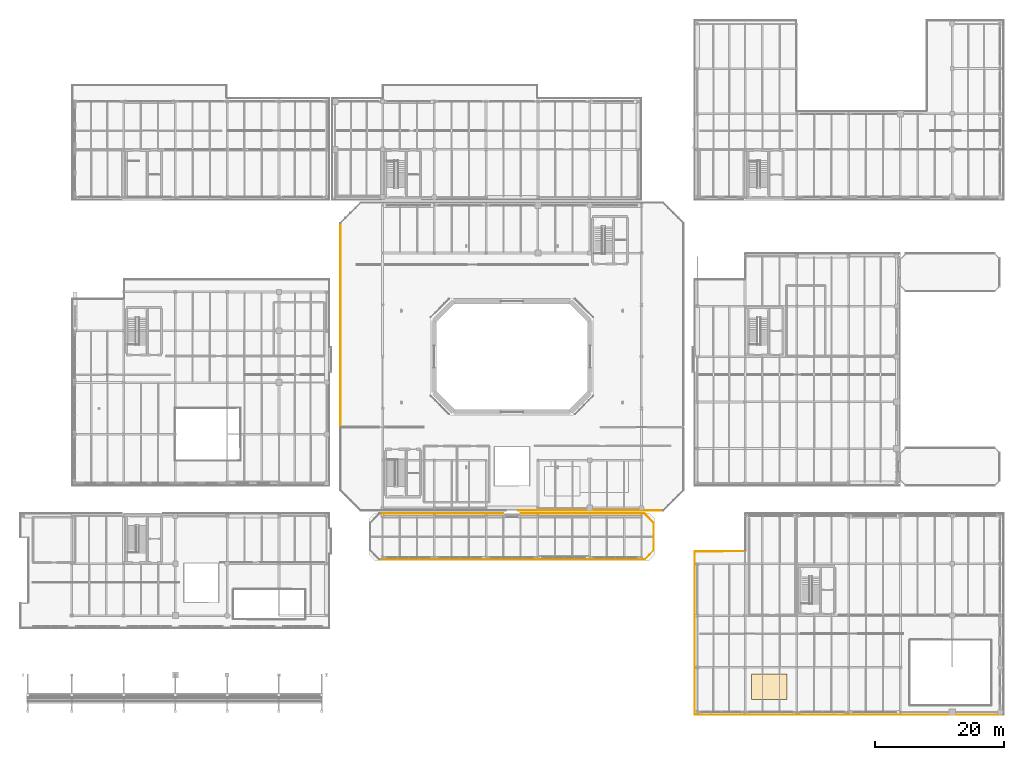
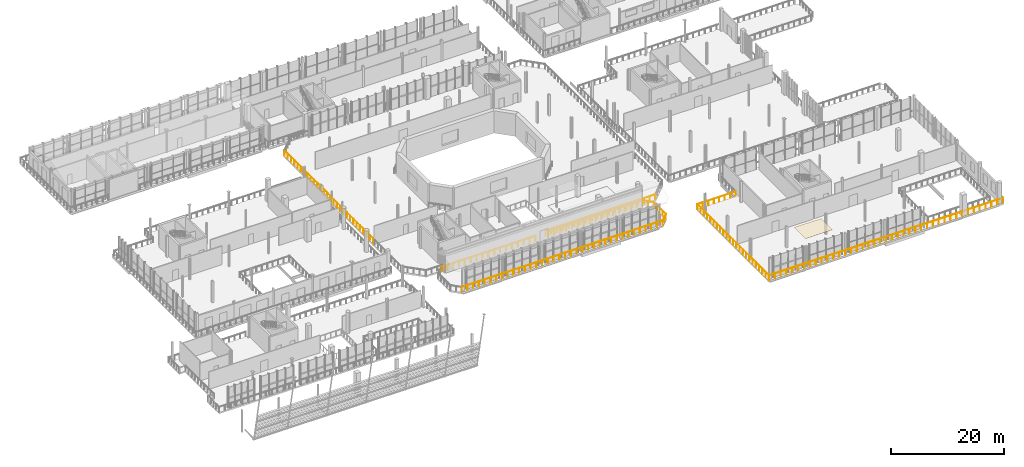
# One storey, part 83 of 93: 11 railings, 1 covering.
"""IFC4 building model written with IfcOpenShell, lengths in metres."""

import ifcopenshell
import ifcopenshell.guid

model = None  # the IFC model being written
_history = None  # IfcOwnerHistory: only IFC2X3 demands one
_inside = {}  # id of a spatial element -> (the spatial element, [elements in it])
_under = {}  # id of a project, library or spatial element -> (it, [spatial elements below it])
_declared = {}  # id of a project -> (the project, [libraries it declares])
_typed = {}  # id of a type object -> (the type object, [elements of that type])
_made_of = {}  # id of a material, layer set ... -> (it, [elements and type objects made of it])


def new_model(schema):
    """Start an empty IFC model of exactly this schema.

    Asked for "IFC4X3", IfcOpenShell would pick the latest addendum, in which some entities
    have other attributes; the version numbers below select the first issue.
    IFC2X3 requires an IfcOwnerHistory on every rooted entity: one is made here for all.
    """
    global model, _history
    if schema == "IFC4X3":
        model = ifcopenshell.file(schema_version=(4, 3, 0, 0))
    else:
        model = ifcopenshell.file(schema=schema)
    _inside.clear()
    _under.clear()
    _declared.clear()
    _typed.clear()
    _made_of.clear()
    _history = None
    if model.schema == "IFC2X3":
        org = make("IfcOrganization", Name="unknown")
        user = make(
            "IfcPersonAndOrganization",
            ThePerson=make("IfcPerson", FamilyName="unknown"),
            TheOrganization=org,
        )
        app = make(
            "IfcApplication",
            ApplicationDeveloper=org,
            Version="unknown",
            ApplicationFullName="unknown",
            ApplicationIdentifier="unknown",
        )
        _history = make(
            "IfcOwnerHistory",
            OwningUser=user,
            OwningApplication=app,
            ChangeAction="ADDED",
            CreationDate=0,
        )
    return model


def make(cls, **values):
    """One entity of the class cls with the attributes given. An attribute that is None is left unset."""
    return model.create_entity(
        cls, **{name: value for name, value in values.items() if value is not None}
    )


def rooted(cls, **values):
    """An entity with a GlobalId (a new one), such as an element, a storey or a relation."""
    return make(cls, GlobalId=ifcopenshell.guid.new(), OwnerHistory=_history, **values)


def si_unit(unit_type, name, prefix=None):
    """IfcSIUnit, for example si_unit("LENGTHUNIT", "METRE", prefix="MILLI")."""
    return make("IfcSIUnit", UnitType=unit_type, Prefix=prefix, Name=name)


def assignment(units):
    """IfcUnitAssignment: the units of a project."""
    return None if units is None else make("IfcUnitAssignment", Units=units)


def point(xyz):
    """IfcCartesianPoint."""
    return None if xyz is None else make("IfcCartesianPoint", Coordinates=xyz)


def direction(xyz):
    """IfcDirection."""
    return None if xyz is None else make("IfcDirection", DirectionRatios=xyz)


def frame(location, z_axis=None, x_axis=None):
    """IfcAxis2Placement3D, a coordinate frame: its origin and axes. An axis left out is left unset."""
    return make(
        "IfcAxis2Placement3D",
        Location=point(location),
        Axis=direction(z_axis),
        RefDirection=direction(x_axis),
    )


def frame_2d(location, x_axis=None):
    """IfcAxis2Placement2D, a coordinate frame in the plane: its origin and x axis."""
    return make(
        "IfcAxis2Placement2D", Location=point(location), RefDirection=direction(x_axis)
    )


def origin():
    """The frame at (0, 0, 0) with its axes left unset."""
    return frame((0.0, 0.0, 0.0))


def origin_2d():
    """The frame at (0, 0) in the plane with its x axis left unset."""
    return frame_2d((0.0, 0.0))


def place(relative_to, where):
    """IfcLocalPlacement: puts the frame where relative to a parent placement (None: the world)."""
    return make(
        "IfcLocalPlacement", PlacementRelTo=relative_to, RelativePlacement=where
    )


def context(
    kind, dimensions, precision=None, world=None, true_north=None, identifier=None
):
    """IfcGeometricRepresentationContext, for example the 3D "Model" context."""
    return make(
        "IfcGeometricRepresentationContext",
        ContextIdentifier=identifier,
        ContextType=kind,
        CoordinateSpaceDimension=dimensions,
        Precision=precision,
        WorldCoordinateSystem=world,
        TrueNorth=true_north,
    )


def subcontext(parent, identifier, kind, view, scale=None):
    """IfcGeometricRepresentationSubContext, for example "Body" below "Model"."""
    return make(
        "IfcGeometricRepresentationSubContext",
        ContextIdentifier=identifier,
        ContextType=kind,
        ParentContext=parent,
        TargetScale=scale,
        TargetView=view,
    )


def project(units=None, contexts=None):
    """IfcProject with its units and contexts."""
    return rooted(
        "IfcProject",
        Name="project",
        RepresentationContexts=contexts,
        UnitsInContext=assignment(units),
    )


def spatial(cls, under=None, at=None, **own):
    """A site, building, storey or space (cls), placed at a placement, below another one or the project."""
    s = rooted(cls, ObjectPlacement=at, **own)
    if under is not None:
        _under.setdefault(under.id(), (under, []))[1].append(s)
    return s


def profile(cls, at=None, kind="AREA", **sizes):
    """A parametric profile (cls). Its sizes go by their IFC names, for example OverallWidth=200.0."""
    return make(cls, ProfileType=kind, Position=at, **sizes)


def rectangle(**sizes):
    """IfcRectangleProfileDef."""
    return profile("IfcRectangleProfileDef", **sizes)


def circle(**sizes):
    """IfcCircleProfileDef."""
    return profile("IfcCircleProfileDef", **sizes)


def extrude(swept, where, along, depth):
    """IfcExtrudedAreaSolid: the profile swept, set in the frame where, extruded along a direction by depth."""
    return make(
        "IfcExtrudedAreaSolid",
        SweptArea=swept,
        Position=where,
        ExtrudedDirection=direction(along),
        Depth=depth,
    )


def shape(context_of_items, identifier, shape_type, items):
    """IfcShapeRepresentation: the items that make up one representation, for example the "Body"."""
    return make(
        "IfcShapeRepresentation",
        ContextOfItems=context_of_items,
        RepresentationIdentifier=identifier,
        RepresentationType=shape_type,
        Items=items,
    )


def material(Name=None, Category=None):
    """IfcMaterial."""
    return make("IfcMaterial", Name=Name, Category=Category)


def layer(
    of_material, thickness, ventilated=None, Name=None, Category=None, Priority=None
):
    """IfcMaterialLayer: one layer of a wall or slab, of a material (None: an air gap)."""
    return make(
        "IfcMaterialLayer",
        Material=of_material,
        LayerThickness=thickness,
        IsVentilated=ventilated,
        Name=Name,
        Category=Category,
        Priority=Priority,
    )


def layer_set(layers, Name=None):
    """IfcMaterialLayerSet."""
    return make("IfcMaterialLayerSet", MaterialLayers=layers, LayerSetName=Name)


def made_of(thing, what):
    """Note that an element or type object is made of a material, layer set ...; save() writes the relation."""
    if what is not None:
        _made_of.setdefault(what.id(), (what, []))[1].append(thing)
    return thing


def type_object(cls, material=None, **own):
    """A type object (cls), such as IfcWallType, which elements share."""
    return made_of(rooted(cls, **own), material)


def element(
    cls,
    number,
    at=None,
    inside=None,
    cuts=None,
    type_object=None,
    material=None,
    context=None,
    identifier="Body",
    shape_type=None,
    held_by="IfcProductDefinitionShape",
    body=None,
    shapes=None,
    **own,
):
    """One element of the class cls, such as IfcWall. Its Tag is "e" and its number.

    at: its placement. inside: the storey or other place that contains it. cuts: it is an
    opening in that element (IfcRelVoidsElement). A single representation is given by context,
    identifier, shape_type and body (its items); several are given by shapes. held_by: the class
    of the entity that holds the representations. save() writes the other relations.
    """
    e = rooted(cls, Tag="e%d" % number, ObjectPlacement=at, **own)
    if body is not None:
        shapes = [shape(context, identifier, shape_type, body)]
    if shapes is not None:
        e.Representation = make(held_by, Representations=shapes)
    if inside is not None:
        _inside.setdefault(inside.id(), (inside, []))[1].append(e)
    if cuts is not None:
        rooted(
            "IfcRelVoidsElement", RelatingBuildingElement=cuts, RelatedOpeningElement=e
        )
    if type_object is not None:
        _typed.setdefault(type_object.id(), (type_object, []))[1].append(e)
    return made_of(e, material)


def aggregate(whole, parts):
    """IfcRelAggregates: a whole, such as a stair, and the parts it consists of."""
    return rooted("IfcRelAggregates", RelatingObject=whole, RelatedObjects=parts)


def save(model, path):
    """Write the relations noted so far, then the file.

    IfcRelAggregates (storeys below a building ...), IfcRelContainedInSpatialStructure (elements
    in a storey), IfcRelDefinesByType, IfcRelAssociatesMaterial and IfcRelDeclares: one each for
    every whole, place, type object, material and project.
    """
    for whole, parts in _under.values():
        aggregate(whole, parts)
    for where, things in _inside.values():
        rooted(
            "IfcRelContainedInSpatialStructure",
            RelatedElements=things,
            RelatingStructure=where,
        )
    for kind, things in _typed.values():
        rooted("IfcRelDefinesByType", RelatedObjects=things, RelatingType=kind)
    for what, things in _made_of.values():
        rooted("IfcRelAssociatesMaterial", RelatedObjects=things, RelatingMaterial=what)
    for by, libraries in _declared.values():
        rooted("IfcRelDeclares", RelatingContext=by, RelatedDefinitions=libraries)
    model.write(path)


model = new_model("IFC4")

# Units and contexts
model_context = context("Model", 3, precision=1e-05, world=origin(), true_north=direction((0.0, 1.0)))
body_context = subcontext(model_context, "Body", "Model", "MODEL_VIEW")
ifc_project = project(units=[si_unit("LENGTHUNIT", "METRE"), si_unit("AREAUNIT", "SQUARE_METRE"), si_unit("VOLUMEUNIT", "CUBIC_METRE"), si_unit("PLANEANGLEUNIT", "RADIAN"), si_unit("MASSUNIT", "GRAM", prefix="KILO")], contexts=[model_context])

# Site, building, storey
site_placement = place(None, origin())
site = spatial("IfcSite", under=ifc_project, at=site_placement, CompositionType="ELEMENT")
building_placement = place(site_placement, origin())
building = spatial("IfcBuilding", under=site, at=building_placement, Name="Brisemont Oceanarium", CompositionType="ELEMENT")
storey_placement = place(building_placement, frame((0.0, 0.0, 5.39990234375)))
storey = spatial("IfcBuildingStorey", under=building, at=storey_placement, Name="L01", CompositionType="ELEMENT", Elevation=5.39990234375)

# Covering
ifc_material_1 = material(Name="Perforated Marine-Grade Acoustic Baffle Ceiling")
ifc_layer = layer(ifc_material_1, 0.0400390625)
ifc_layer_set = layer_set([ifc_layer], Name="Perforated Marine-Grade Acoustic Baffle Ceiling")
covering_type = type_object("IfcCoveringType", Name="COV-CEIL-AC", PredefinedType="CEILING", material=ifc_layer_set)
covering_placement = place(storey_placement, frame((123.75, 5.0, 4.47998046875), z_axis=(0.0, 0.0, 1.0), x_axis=(1.0, 0.0, 0.0)))
element("IfcCovering", 1, at=covering_placement, inside=storey, type_object=covering_type, Name="Acoustic baffle ceiling CLG-V3-L01", PredefinedType="CEILING", context=body_context, shape_type="SweptSolid", body=[
    extrude(rectangle(XDim=5.5, YDim=4.0, at=origin_2d()), origin(), (0.0, 0.0, 1.0), 0.0400390625),
])

# Railings
ifc_material_2 = material(Name="Beaux-Arts Limestone Balustrade Precast Concrete C40/50", Category="masonry")
railing_type_1 = type_object("IfcRailingType", Name="RLG-BAL-1140", PredefinedType="BALUSTRADE", material=ifc_material_2)
railing_1_placement = place(storey_placement, frame((85.337158203125, 31.760009765625, 0.0)))
element("IfcRailing", 2, at=railing_1_placement, inside=storey, type_object=railing_type_1, Name="L01 slab perimeter safety guard 60", PredefinedType="BALUSTRADE", context=body_context, shape_type="SweptSolid", body=[
    extrude(circle(Radius=0.02392578125, at=origin_2d()), frame((0.0, 0.0, 1.11572265625), z_axis=(1.0, 0.0, 0.0), x_axis=(0.0, 1.0, 0.0)), (0.0, 0.0, 1.0), 19.12548828125),
    extrude(circle(Radius=0.02099609375, at=origin_2d()), origin(), (0.0, 0.0, 1.0), 1.091796875),
    extrude(circle(Radius=0.02099609375, at=origin_2d()), frame((1.1953125, 0.0, 0.0)), (0.0, 0.0, 1.0), 1.091796875),
    extrude(circle(Radius=0.02099609375, at=origin_2d()), frame((2.390625, 0.0, 0.0)), (0.0, 0.0, 1.0), 1.091796875),
    extrude(circle(Radius=0.02099609375, at=origin_2d()), frame((3.5859375, 0.0, 0.0)), (0.0, 0.0, 1.0), 1.091796875),
    extrude(circle(Radius=0.02099609375, at=origin_2d()), frame((4.78125, 0.0, 0.0)), (0.0, 0.0, 1.0), 1.091796875),
    extrude(circle(Radius=0.02099609375, at=origin_2d()), frame((5.976806640625, 0.0, 0.0)), (0.0, 0.0, 1.0), 1.091796875),
    extrude(circle(Radius=0.02099609375, at=origin_2d()), frame((7.172119140625, 0.0, 0.0)), (0.0, 0.0, 1.0), 1.091796875),
    extrude(circle(Radius=0.02099609375, at=origin_2d()), frame((8.367431640625, 0.0, 0.0)), (0.0, 0.0, 1.0), 1.091796875),
    extrude(circle(Radius=0.02099609375, at=origin_2d()), frame((9.562744140625, 0.0, 0.0)), (0.0, 0.0, 1.0), 1.091796875),
    extrude(circle(Radius=0.02099609375, at=origin_2d()), frame((10.758056640625, 0.0, 0.0)), (0.0, 0.0, 1.0), 1.091796875),
    extrude(circle(Radius=0.02099609375, at=origin_2d()), frame((11.953369140625, 0.0, 0.0)), (0.0, 0.0, 1.0), 1.091796875),
    extrude(circle(Radius=0.02099609375, at=origin_2d()), frame((13.148681640625, 0.0, 0.0)), (0.0, 0.0, 1.0), 1.091796875),
    extrude(circle(Radius=0.02099609375, at=origin_2d()), frame((14.34423828125, 0.0, 0.0)), (0.0, 0.0, 1.0), 1.091796875),
    extrude(circle(Radius=0.02099609375, at=origin_2d()), frame((15.53955078125, 0.0, 0.0)), (0.0, 0.0, 1.0), 1.091796875),
    extrude(circle(Radius=0.02099609375, at=origin_2d()), frame((16.73486328125, 0.0, 0.0)), (0.0, 0.0, 1.0), 1.091796875),
    extrude(circle(Radius=0.02099609375, at=origin_2d()), frame((17.93017578125, 0.0, 0.0)), (0.0, 0.0, 1.0), 1.091796875),
    extrude(circle(Radius=0.02099609375, at=origin_2d()), frame((19.12548828125, 0.0, 0.0)), (0.0, 0.0, 1.0), 1.091796875),
])
railing_2_placement = place(storey_placement, frame((104.462646484375, 24.639892578125, 0.0)))
element("IfcRailing", 3, at=railing_2_placement, inside=storey, type_object=railing_type_1, Name="L01 slab perimeter safety guard 64", PredefinedType="BALUSTRADE", context=body_context, shape_type="SweptSolid", body=[
    extrude(circle(Radius=0.02392578125, at=origin_2d()), frame((0.0, 0.0, 1.11572265625), z_axis=(-1.0, 0.0, 0.0), x_axis=(0.0, -1.0, 0.0)), (0.0, 0.0, 1.0), 40.92529296875),
    extrude(circle(Radius=0.02099609375, at=origin_2d()), origin(), (0.0, 0.0, 1.0), 1.091796875),
    extrude(circle(Radius=0.02099609375, at=origin_2d()), frame((-1.169189453125, 0.0, 0.0)), (0.0, 0.0, 1.0), 1.091796875),
    extrude(circle(Radius=0.02099609375, at=origin_2d()), frame((-2.338623046875, 0.0, 0.0)), (0.0, 0.0, 1.0), 1.091796875),
    extrude(circle(Radius=0.02099609375, at=origin_2d()), frame((-3.5078125, 0.0, 0.0)), (0.0, 0.0, 1.0), 1.091796875),
    extrude(circle(Radius=0.02099609375, at=origin_2d()), frame((-4.67724609375, 0.0, 0.0)), (0.0, 0.0, 1.0), 1.091796875),
    extrude(circle(Radius=0.02099609375, at=origin_2d()), frame((-5.846435546875, 0.0, 0.0)), (0.0, 0.0, 1.0), 1.091796875),
    extrude(circle(Radius=0.02099609375, at=origin_2d()), frame((-7.015869140625, 0.0, 0.0)), (0.0, 0.0, 1.0), 1.091796875),
    extrude(circle(Radius=0.02099609375, at=origin_2d()), frame((-8.18505859375, 0.0, 0.0)), (0.0, 0.0, 1.0), 1.091796875),
    extrude(circle(Radius=0.02099609375, at=origin_2d()), frame((-9.354248046875, 0.0, 0.0)), (0.0, 0.0, 1.0), 1.091796875),
    extrude(circle(Radius=0.02099609375, at=origin_2d()), frame((-10.523681640625, 0.0, 0.0)), (0.0, 0.0, 1.0), 1.091796875),
    extrude(circle(Radius=0.02099609375, at=origin_2d()), frame((-11.69287109375, 0.0, 0.0)), (0.0, 0.0, 1.0), 1.091796875),
    extrude(circle(Radius=0.02099609375, at=origin_2d()), frame((-12.8623046875, 0.0, 0.0)), (0.0, 0.0, 1.0), 1.091796875),
    extrude(circle(Radius=0.02099609375, at=origin_2d()), frame((-14.031494140625, 0.0, 0.0)), (0.0, 0.0, 1.0), 1.091796875),
    extrude(circle(Radius=0.02099609375, at=origin_2d()), frame((-15.200927734375, 0.0, 0.0)), (0.0, 0.0, 1.0), 1.091796875),
    extrude(circle(Radius=0.02099609375, at=origin_2d()), frame((-16.3701171875, 0.0, 0.0)), (0.0, 0.0, 1.0), 1.091796875),
    extrude(circle(Radius=0.02099609375, at=origin_2d()), frame((-17.539306640625, 0.0, 0.0)), (0.0, 0.0, 1.0), 1.091796875),
    extrude(circle(Radius=0.02099609375, at=origin_2d()), frame((-18.708740234375, 0.0, 0.0)), (0.0, 0.0, 1.0), 1.091796875),
    extrude(circle(Radius=0.02099609375, at=origin_2d()), frame((-19.8779296875, 0.0, 0.0)), (0.0, 0.0, 1.0), 1.091796875),
    extrude(circle(Radius=0.02099609375, at=origin_2d()), frame((-21.04736328125, 0.0, 0.0)), (0.0, 0.0, 1.0), 1.091796875),
    extrude(circle(Radius=0.02099609375, at=origin_2d()), frame((-22.216552734375, 0.0, 0.0)), (0.0, 0.0, 1.0), 1.091796875),
    extrude(circle(Radius=0.02099609375, at=origin_2d()), frame((-23.385986328125, 0.0, 0.0)), (0.0, 0.0, 1.0), 1.091796875),
    extrude(circle(Radius=0.02099609375, at=origin_2d()), frame((-24.55517578125, 0.0, 0.0)), (0.0, 0.0, 1.0), 1.091796875),
    extrude(circle(Radius=0.02099609375, at=origin_2d()), frame((-25.724365234375, 0.0, 0.0)), (0.0, 0.0, 1.0), 1.091796875),
    extrude(circle(Radius=0.02099609375, at=origin_2d()), frame((-26.893798828125, 0.0, 0.0)), (0.0, 0.0, 1.0), 1.091796875),
    extrude(circle(Radius=0.02099609375, at=origin_2d()), frame((-28.06298828125, 0.0, 0.0)), (0.0, 0.0, 1.0), 1.091796875),
    extrude(circle(Radius=0.02099609375, at=origin_2d()), frame((-29.232421875, 0.0, 0.0)), (0.0, 0.0, 1.0), 1.091796875),
    extrude(circle(Radius=0.02099609375, at=origin_2d()), frame((-30.401611328125, 0.0, 0.0)), (0.0, 0.0, 1.0), 1.091796875),
    extrude(circle(Radius=0.02099609375, at=origin_2d()), frame((-31.571044921875, 0.0, 0.0)), (0.0, 0.0, 1.0), 1.091796875),
    extrude(circle(Radius=0.02099609375, at=origin_2d()), frame((-32.740234375, 0.0, 0.0)), (0.0, 0.0, 1.0), 1.091796875),
    extrude(circle(Radius=0.02099609375, at=origin_2d()), frame((-33.909423828125, 0.0, 0.0)), (0.0, 0.0, 1.0), 1.091796875),
    extrude(circle(Radius=0.02099609375, at=origin_2d()), frame((-35.078857421875, 0.0, 0.0)), (0.0, 0.0, 1.0), 1.091796875),
    extrude(circle(Radius=0.02099609375, at=origin_2d()), frame((-36.248046875, 0.0, 0.0)), (0.0, 0.0, 1.0), 1.091796875),
    extrude(circle(Radius=0.02099609375, at=origin_2d()), frame((-37.41748046875, 0.0, 0.0)), (0.0, 0.0, 1.0), 1.091796875),
    extrude(circle(Radius=0.02099609375, at=origin_2d()), frame((-38.586669921875, 0.0, 0.0)), (0.0, 0.0, 1.0), 1.091796875),
    extrude(circle(Radius=0.02099609375, at=origin_2d()), frame((-39.756103515625, 0.0, 0.0)), (0.0, 0.0, 1.0), 1.091796875),
    extrude(circle(Radius=0.02099609375, at=origin_2d()), frame((-40.92529296875, 0.0, 0.0)), (0.0, 0.0, 1.0), 1.091796875),
])
ifc_material_3 = material(Name="Duplex Stainless Steel EN 1.4462", Category="steel")
railing_type_2 = type_object("IfcRailingType", Name="RLG-GUARD-1120", PredefinedType="GUARDRAIL", material=ifc_material_3)
railing_3_placement = place(storey_placement, frame((112.239990234375, 0.68994140625, 0.0)))
element("IfcRailing", 4, at=railing_3_placement, inside=storey, type_object=railing_type_2, Name="L01 slab perimeter safety guard 1", PredefinedType="GUARDRAIL", context=body_context, shape_type="SweptSolid", body=[
    extrude(circle(Radius=0.02392578125, at=origin_2d()), frame((0.0, 0.0, 1.09619140625), z_axis=(0.0, 1.0, 0.0), x_axis=(-1.0, 0.0, 0.0)), (0.0, 0.0, 1.0), 25.219482421875),
    extrude(circle(Radius=0.02099609375, at=origin_2d()), origin(), (0.0, 0.0, 1.0), 1.072021484375),
    extrude(circle(Radius=0.02099609375, at=origin_2d()), frame((0.0, 1.146240234375, 0.0)), (0.0, 0.0, 1.0), 1.072021484375),
    extrude(circle(Radius=0.02099609375, at=origin_2d()), frame((0.0, 2.292724609375, 0.0)), (0.0, 0.0, 1.0), 1.072021484375),
    extrude(circle(Radius=0.02099609375, at=origin_2d()), frame((0.0, 3.43896484375, 0.0)), (0.0, 0.0, 1.0), 1.072021484375),
    extrude(circle(Radius=0.02099609375, at=origin_2d()), frame((0.0, 4.58544921875, 0.0)), (0.0, 0.0, 1.0), 1.072021484375),
    extrude(circle(Radius=0.02099609375, at=origin_2d()), frame((0.0, 5.731689453125, 0.0)), (0.0, 0.0, 1.0), 1.072021484375),
    extrude(circle(Radius=0.02099609375, at=origin_2d()), frame((0.0, 6.8779296875, 0.0)), (0.0, 0.0, 1.0), 1.072021484375),
    extrude(circle(Radius=0.02099609375, at=origin_2d()), frame((0.0, 8.0244140625, 0.0)), (0.0, 0.0, 1.0), 1.072021484375),
    extrude(circle(Radius=0.02099609375, at=origin_2d()), frame((0.0, 9.170654296875, 0.0)), (0.0, 0.0, 1.0), 1.072021484375),
    extrude(circle(Radius=0.02099609375, at=origin_2d()), frame((0.0, 10.317138671875, 0.0)), (0.0, 0.0, 1.0), 1.072021484375),
    extrude(circle(Radius=0.02099609375, at=origin_2d()), frame((0.0, 11.46337890625, 0.0)), (0.0, 0.0, 1.0), 1.072021484375),
    extrude(circle(Radius=0.02099609375, at=origin_2d()), frame((0.0, 12.60986328125, 0.0)), (0.0, 0.0, 1.0), 1.072021484375),
    extrude(circle(Radius=0.02099609375, at=origin_2d()), frame((0.0, 13.756103515625, 0.0)), (0.0, 0.0, 1.0), 1.072021484375),
    extrude(circle(Radius=0.02099609375, at=origin_2d()), frame((0.0, 14.90234375, 0.0)), (0.0, 0.0, 1.0), 1.072021484375),
    extrude(circle(Radius=0.02099609375, at=origin_2d()), frame((0.0, 16.048828125, 0.0)), (0.0, 0.0, 1.0), 1.072021484375),
    extrude(circle(Radius=0.02099609375, at=origin_2d()), frame((0.0, 17.195068359375, 0.0)), (0.0, 0.0, 1.0), 1.072021484375),
    extrude(circle(Radius=0.02099609375, at=origin_2d()), frame((0.0, 18.341552734375, 0.0)), (0.0, 0.0, 1.0), 1.072021484375),
    extrude(circle(Radius=0.02099609375, at=origin_2d()), frame((0.0, 19.48779296875, 0.0)), (0.0, 0.0, 1.0), 1.072021484375),
    extrude(circle(Radius=0.02099609375, at=origin_2d()), frame((0.0, 20.634033203125, 0.0)), (0.0, 0.0, 1.0), 1.072021484375),
    extrude(circle(Radius=0.02099609375, at=origin_2d()), frame((0.0, 21.780517578125, 0.0)), (0.0, 0.0, 1.0), 1.072021484375),
    extrude(circle(Radius=0.02099609375, at=origin_2d()), frame((0.0, 22.9267578125, 0.0)), (0.0, 0.0, 1.0), 1.072021484375),
    extrude(circle(Radius=0.02099609375, at=origin_2d()), frame((0.0, 24.0732421875, 0.0)), (0.0, 0.0, 1.0), 1.072021484375),
    extrude(circle(Radius=0.02099609375, at=origin_2d()), frame((0.0, 25.219482421875, 0.0)), (0.0, 0.0, 1.0), 1.072021484375),
])
railing_4_placement = place(storey_placement, frame((112.239990234375, 25.909423828125, 0.0)))
element("IfcRailing", 5, at=railing_4_placement, inside=storey, type_object=railing_type_2, Name="L01 slab perimeter safety guard 2", PredefinedType="GUARDRAIL", context=body_context, shape_type="SweptSolid", body=[
    extrude(circle(Radius=0.02392578125, at=origin_2d()), frame((0.0, 0.0, 1.09619140625), z_axis=(0.999995678826, 0.002939784013, 0.0), x_axis=(-0.002939784013, 0.999995678826, 0.0)), (0.0, 0.0, 1.0), 7.806396484375),
    extrude(circle(Radius=0.02099609375, at=origin_2d()), origin(), (0.0, 0.0, 1.0), 1.072021484375),
    extrude(circle(Radius=0.02099609375, at=origin_2d()), frame((1.115234375, 0.003173828125, 0.0)), (0.0, 0.0, 1.0), 1.072021484375),
    extrude(circle(Radius=0.02099609375, at=origin_2d()), frame((2.23046875, 0.006591796875, 0.0)), (0.0, 0.0, 1.0), 1.072021484375),
    extrude(circle(Radius=0.02099609375, at=origin_2d()), frame((3.345703125, 0.009765625, 0.0)), (0.0, 0.0, 1.0), 1.072021484375),
    extrude(circle(Radius=0.02099609375, at=origin_2d()), frame((4.460693359375, 0.01318359375, 0.0)), (0.0, 0.0, 1.0), 1.072021484375),
    extrude(circle(Radius=0.02099609375, at=origin_2d()), frame((5.575927734375, 0.016357421875, 0.0)), (0.0, 0.0, 1.0), 1.072021484375),
    extrude(circle(Radius=0.02099609375, at=origin_2d()), frame((6.691162109375, 0.019775390625, 0.0)), (0.0, 0.0, 1.0), 1.072021484375),
    extrude(circle(Radius=0.02099609375, at=origin_2d()), frame((7.806396484375, 0.02294921875, 0.0)), (0.0, 0.0, 1.0), 1.072021484375),
])
railing_5_placement = place(storey_placement, frame((159.909912109375, 0.6904296875, 0.0)))
element("IfcRailing", 6, at=railing_5_placement, inside=storey, type_object=railing_type_2, Name="L01 slab perimeter safety guard 6", PredefinedType="GUARDRAIL", context=body_context, shape_type="SweptSolid", body=[
    extrude(circle(Radius=0.02392578125, at=origin_2d()), frame((0.0, 0.0, 1.09619140625), z_axis=(-0.999999999948, -1.0242963e-05, 0.0), x_axis=(1.0242963e-05, -0.999999999948, 0.0)), (0.0, 0.0, 1.0), 47.669921875),
    extrude(circle(Radius=0.02099609375, at=origin_2d()), origin(), (0.0, 0.0, 1.0), 1.072021484375),
    extrude(circle(Radius=0.02099609375, at=origin_2d()), frame((-1.191650390625, 0.0, 0.0)), (0.0, 0.0, 1.0), 1.072021484375),
    extrude(circle(Radius=0.02099609375, at=origin_2d()), frame((-2.383544921875, 0.0, 0.0)), (0.0, 0.0, 1.0), 1.072021484375),
    extrude(circle(Radius=0.02099609375, at=origin_2d()), frame((-3.5751953125, 0.0, 0.0)), (0.0, 0.0, 1.0), 1.072021484375),
    extrude(circle(Radius=0.02099609375, at=origin_2d()), frame((-4.76708984375, 0.0, 0.0)), (0.0, 0.0, 1.0), 1.072021484375),
    extrude(circle(Radius=0.02099609375, at=origin_2d()), frame((-5.958740234375, 0.0, 0.0)), (0.0, 0.0, 1.0), 1.072021484375),
    extrude(circle(Radius=0.02099609375, at=origin_2d()), frame((-7.150390625, 0.0, 0.0)), (0.0, 0.0, 1.0), 1.072021484375),
    extrude(circle(Radius=0.02099609375, at=origin_2d()), frame((-8.34228515625, 0.0, 0.0)), (0.0, 0.0, 1.0), 1.072021484375),
    extrude(circle(Radius=0.02099609375, at=origin_2d()), frame((-9.533935546875, 0.0, 0.0)), (0.0, 0.0, 1.0), 1.072021484375),
    extrude(circle(Radius=0.02099609375, at=origin_2d()), frame((-10.725830078125, 0.0, 0.0)), (0.0, 0.0, 1.0), 1.072021484375),
    extrude(circle(Radius=0.02099609375, at=origin_2d()), frame((-11.91748046875, 0.0, 0.0)), (0.0, 0.0, 1.0), 1.072021484375),
    extrude(circle(Radius=0.02099609375, at=origin_2d()), frame((-13.109130859375, -0.000244140625, 0.0)), (0.0, 0.0, 1.0), 1.072021484375),
    extrude(circle(Radius=0.02099609375, at=origin_2d()), frame((-14.301025390625, -0.000244140625, 0.0)), (0.0, 0.0, 1.0), 1.072021484375),
    extrude(circle(Radius=0.02099609375, at=origin_2d()), frame((-15.49267578125, -0.000244140625, 0.0)), (0.0, 0.0, 1.0), 1.072021484375),
    extrude(circle(Radius=0.02099609375, at=origin_2d()), frame((-16.6845703125, -0.000244140625, 0.0)), (0.0, 0.0, 1.0), 1.072021484375),
    extrude(circle(Radius=0.02099609375, at=origin_2d()), frame((-17.876220703125, -0.000244140625, 0.0)), (0.0, 0.0, 1.0), 1.072021484375),
    extrude(circle(Radius=0.02099609375, at=origin_2d()), frame((-19.06787109375, -0.000244140625, 0.0)), (0.0, 0.0, 1.0), 1.072021484375),
    extrude(circle(Radius=0.02099609375, at=origin_2d()), frame((-20.259765625, -0.000244140625, 0.0)), (0.0, 0.0, 1.0), 1.072021484375),
    extrude(circle(Radius=0.02099609375, at=origin_2d()), frame((-21.451416015625, -0.000244140625, 0.0)), (0.0, 0.0, 1.0), 1.072021484375),
    extrude(circle(Radius=0.02099609375, at=origin_2d()), frame((-22.643310546875, -0.000244140625, 0.0)), (0.0, 0.0, 1.0), 1.072021484375),
    extrude(circle(Radius=0.02099609375, at=origin_2d()), frame((-23.8349609375, -0.000244140625, 0.0)), (0.0, 0.0, 1.0), 1.072021484375),
    extrude(circle(Radius=0.02099609375, at=origin_2d()), frame((-25.026611328125, -0.000244140625, 0.0)), (0.0, 0.0, 1.0), 1.072021484375),
    extrude(circle(Radius=0.02099609375, at=origin_2d()), frame((-26.218505859375, -0.000244140625, 0.0)), (0.0, 0.0, 1.0), 1.072021484375),
    extrude(circle(Radius=0.02099609375, at=origin_2d()), frame((-27.41015625, -0.000244140625, 0.0)), (0.0, 0.0, 1.0), 1.072021484375),
    extrude(circle(Radius=0.02099609375, at=origin_2d()), frame((-28.60205078125, -0.000244140625, 0.0)), (0.0, 0.0, 1.0), 1.072021484375),
    extrude(circle(Radius=0.02099609375, at=origin_2d()), frame((-29.793701171875, -0.000244140625, 0.0)), (0.0, 0.0, 1.0), 1.072021484375),
    extrude(circle(Radius=0.02099609375, at=origin_2d()), frame((-30.9853515625, -0.000244140625, 0.0)), (0.0, 0.0, 1.0), 1.072021484375),
    extrude(circle(Radius=0.02099609375, at=origin_2d()), frame((-32.17724609375, -0.000244140625, 0.0)), (0.0, 0.0, 1.0), 1.072021484375),
    extrude(circle(Radius=0.02099609375, at=origin_2d()), frame((-33.368896484375, -0.000244140625, 0.0)), (0.0, 0.0, 1.0), 1.072021484375),
    extrude(circle(Radius=0.02099609375, at=origin_2d()), frame((-34.560791015625, -0.000244140625, 0.0)), (0.0, 0.0, 1.0), 1.072021484375),
    extrude(circle(Radius=0.02099609375, at=origin_2d()), frame((-35.75244140625, -0.00048828125, 0.0)), (0.0, 0.0, 1.0), 1.072021484375),
    extrude(circle(Radius=0.02099609375, at=origin_2d()), frame((-36.944091796875, -0.00048828125, 0.0)), (0.0, 0.0, 1.0), 1.072021484375),
    extrude(circle(Radius=0.02099609375, at=origin_2d()), frame((-38.135986328125, -0.00048828125, 0.0)), (0.0, 0.0, 1.0), 1.072021484375),
    extrude(circle(Radius=0.02099609375, at=origin_2d()), frame((-39.32763671875, -0.00048828125, 0.0)), (0.0, 0.0, 1.0), 1.072021484375),
    extrude(circle(Radius=0.02099609375, at=origin_2d()), frame((-40.51953125, -0.00048828125, 0.0)), (0.0, 0.0, 1.0), 1.072021484375),
    extrude(circle(Radius=0.02099609375, at=origin_2d()), frame((-41.711181640625, -0.00048828125, 0.0)), (0.0, 0.0, 1.0), 1.072021484375),
    extrude(circle(Radius=0.02099609375, at=origin_2d()), frame((-42.90283203125, -0.00048828125, 0.0)), (0.0, 0.0, 1.0), 1.072021484375),
    extrude(circle(Radius=0.02099609375, at=origin_2d()), frame((-44.0947265625, -0.00048828125, 0.0)), (0.0, 0.0, 1.0), 1.072021484375),
    extrude(circle(Radius=0.02099609375, at=origin_2d()), frame((-45.286376953125, -0.00048828125, 0.0)), (0.0, 0.0, 1.0), 1.072021484375),
    extrude(circle(Radius=0.02099609375, at=origin_2d()), frame((-46.478271484375, -0.00048828125, 0.0)), (0.0, 0.0, 1.0), 1.072021484375),
    extrude(circle(Radius=0.02099609375, at=origin_2d()), frame((-47.669921875, -0.00048828125, 0.0)), (0.0, 0.0, 1.0), 1.072021484375),
])
railing_6_placement = place(storey_placement, frame((57.489990234375, 45.37939453125, 0.0)))
element("IfcRailing", 7, at=railing_6_placement, inside=storey, type_object=railing_type_2, Name="L01 slab perimeter safety guard 43", PredefinedType="GUARDRAIL", context=body_context, shape_type="SweptSolid", body=[
    extrude(circle(Radius=0.02392578125, at=origin_2d()), frame((0.0, 0.0, 1.09619140625), z_axis=(0.0, 1.0, 0.0), x_axis=(-1.0, 0.0, 0.0)), (0.0, 0.0, 1.0), 31.2333984375),
    extrude(circle(Radius=0.02099609375, at=origin_2d()), origin(), (0.0, 0.0, 1.0), 1.072021484375),
    extrude(circle(Radius=0.02099609375, at=origin_2d()), frame((0.0, 1.15673828125, 0.0)), (0.0, 0.0, 1.0), 1.072021484375),
    extrude(circle(Radius=0.02099609375, at=origin_2d()), frame((0.0, 2.3134765625, 0.0)), (0.0, 0.0, 1.0), 1.072021484375),
    extrude(circle(Radius=0.02099609375, at=origin_2d()), frame((0.0, 3.470458984375, 0.0)), (0.0, 0.0, 1.0), 1.072021484375),
    extrude(circle(Radius=0.02099609375, at=origin_2d()), frame((0.0, 4.627197265625, 0.0)), (0.0, 0.0, 1.0), 1.072021484375),
    extrude(circle(Radius=0.02099609375, at=origin_2d()), frame((0.0, 5.783935546875, 0.0)), (0.0, 0.0, 1.0), 1.072021484375),
    extrude(circle(Radius=0.02099609375, at=origin_2d()), frame((0.0, 6.940673828125, 0.0)), (0.0, 0.0, 1.0), 1.072021484375),
    extrude(circle(Radius=0.02099609375, at=origin_2d()), frame((0.0, 8.09765625, 0.0)), (0.0, 0.0, 1.0), 1.072021484375),
    extrude(circle(Radius=0.02099609375, at=origin_2d()), frame((0.0, 9.25439453125, 0.0)), (0.0, 0.0, 1.0), 1.072021484375),
    extrude(circle(Radius=0.02099609375, at=origin_2d()), frame((0.0, 10.4111328125, 0.0)), (0.0, 0.0, 1.0), 1.072021484375),
    extrude(circle(Radius=0.02099609375, at=origin_2d()), frame((0.0, 11.56787109375, 0.0)), (0.0, 0.0, 1.0), 1.072021484375),
    extrude(circle(Radius=0.02099609375, at=origin_2d()), frame((0.0, 12.724609375, 0.0)), (0.0, 0.0, 1.0), 1.072021484375),
    extrude(circle(Radius=0.02099609375, at=origin_2d()), frame((0.0, 13.881591796875, 0.0)), (0.0, 0.0, 1.0), 1.072021484375),
    extrude(circle(Radius=0.02099609375, at=origin_2d()), frame((0.0, 15.038330078125, 0.0)), (0.0, 0.0, 1.0), 1.072021484375),
    extrude(circle(Radius=0.02099609375, at=origin_2d()), frame((0.0, 16.195068359375, 0.0)), (0.0, 0.0, 1.0), 1.072021484375),
    extrude(circle(Radius=0.02099609375, at=origin_2d()), frame((0.0, 17.351806640625, 0.0)), (0.0, 0.0, 1.0), 1.072021484375),
    extrude(circle(Radius=0.02099609375, at=origin_2d()), frame((0.0, 18.5087890625, 0.0)), (0.0, 0.0, 1.0), 1.072021484375),
    extrude(circle(Radius=0.02099609375, at=origin_2d()), frame((0.0, 19.66552734375, 0.0)), (0.0, 0.0, 1.0), 1.072021484375),
    extrude(circle(Radius=0.02099609375, at=origin_2d()), frame((0.0, 20.822265625, 0.0)), (0.0, 0.0, 1.0), 1.072021484375),
    extrude(circle(Radius=0.02099609375, at=origin_2d()), frame((0.0, 21.97900390625, 0.0)), (0.0, 0.0, 1.0), 1.072021484375),
    extrude(circle(Radius=0.02099609375, at=origin_2d()), frame((0.0, 23.1357421875, 0.0)), (0.0, 0.0, 1.0), 1.072021484375),
    extrude(circle(Radius=0.02099609375, at=origin_2d()), frame((0.0, 24.292724609375, 0.0)), (0.0, 0.0, 1.0), 1.072021484375),
    extrude(circle(Radius=0.02099609375, at=origin_2d()), frame((0.0, 25.449462890625, 0.0)), (0.0, 0.0, 1.0), 1.072021484375),
    extrude(circle(Radius=0.02099609375, at=origin_2d()), frame((0.0, 26.606201171875, 0.0)), (0.0, 0.0, 1.0), 1.072021484375),
    extrude(circle(Radius=0.02099609375, at=origin_2d()), frame((0.0, 27.762939453125, 0.0)), (0.0, 0.0, 1.0), 1.072021484375),
    extrude(circle(Radius=0.02099609375, at=origin_2d()), frame((0.0, 28.919921875, 0.0)), (0.0, 0.0, 1.0), 1.072021484375),
    extrude(circle(Radius=0.02099609375, at=origin_2d()), frame((0.0, 30.07666015625, 0.0)), (0.0, 0.0, 1.0), 1.072021484375),
    extrude(circle(Radius=0.02099609375, at=origin_2d()), frame((0.0, 31.2333984375, 0.0)), (0.0, 0.0, 1.0), 1.072021484375),
])
railing_7_placement = place(storey_placement, frame((107.36279296875, 32.239990234375, 0.0)))
element("IfcRailing", 8, at=railing_7_placement, inside=storey, type_object=railing_type_2, Name="L01 slab perimeter safety guard 50", PredefinedType="GUARDRAIL", context=body_context, shape_type="SweptSolid", body=[
    extrude(circle(Radius=0.02392578125, at=origin_2d()), frame((0.0, 0.0, 1.09619140625), z_axis=(-1.0, 0.0, 0.0), x_axis=(0.0, -1.0, 0.0)), (0.0, 0.0, 1.0), 22.353759765625),
    extrude(circle(Radius=0.02099609375, at=origin_2d()), origin(), (0.0, 0.0, 1.0), 1.072021484375),
    extrude(circle(Radius=0.02099609375, at=origin_2d()), frame((-1.176513671875, 0.0, 0.0)), (0.0, 0.0, 1.0), 1.072021484375),
    extrude(circle(Radius=0.02099609375, at=origin_2d()), frame((-2.35302734375, 0.0, 0.0)), (0.0, 0.0, 1.0), 1.072021484375),
    extrude(circle(Radius=0.02099609375, at=origin_2d()), frame((-3.529541015625, 0.0, 0.0)), (0.0, 0.0, 1.0), 1.072021484375),
    extrude(circle(Radius=0.02099609375, at=origin_2d()), frame((-4.7060546875, 0.0, 0.0)), (0.0, 0.0, 1.0), 1.072021484375),
    extrude(circle(Radius=0.02099609375, at=origin_2d()), frame((-5.882568359375, 0.0, 0.0)), (0.0, 0.0, 1.0), 1.072021484375),
    extrude(circle(Radius=0.02099609375, at=origin_2d()), frame((-7.05908203125, 0.0, 0.0)), (0.0, 0.0, 1.0), 1.072021484375),
    extrude(circle(Radius=0.02099609375, at=origin_2d()), frame((-8.235595703125, 0.0, 0.0)), (0.0, 0.0, 1.0), 1.072021484375),
    extrude(circle(Radius=0.02099609375, at=origin_2d()), frame((-9.412109375, 0.0, 0.0)), (0.0, 0.0, 1.0), 1.072021484375),
    extrude(circle(Radius=0.02099609375, at=origin_2d()), frame((-10.588623046875, 0.0, 0.0)), (0.0, 0.0, 1.0), 1.072021484375),
    extrude(circle(Radius=0.02099609375, at=origin_2d()), frame((-11.76513671875, 0.0, 0.0)), (0.0, 0.0, 1.0), 1.072021484375),
    extrude(circle(Radius=0.02099609375, at=origin_2d()), frame((-12.941650390625, 0.0, 0.0)), (0.0, 0.0, 1.0), 1.072021484375),
    extrude(circle(Radius=0.02099609375, at=origin_2d()), frame((-14.1181640625, 0.0, 0.0)), (0.0, 0.0, 1.0), 1.072021484375),
    extrude(circle(Radius=0.02099609375, at=origin_2d()), frame((-15.294677734375, 0.0, 0.0)), (0.0, 0.0, 1.0), 1.072021484375),
    extrude(circle(Radius=0.02099609375, at=origin_2d()), frame((-16.47119140625, 0.0, 0.0)), (0.0, 0.0, 1.0), 1.072021484375),
    extrude(circle(Radius=0.02099609375, at=origin_2d()), frame((-17.647705078125, 0.0, 0.0)), (0.0, 0.0, 1.0), 1.072021484375),
    extrude(circle(Radius=0.02099609375, at=origin_2d()), frame((-18.82421875, 0.0, 0.0)), (0.0, 0.0, 1.0), 1.072021484375),
    extrude(circle(Radius=0.02099609375, at=origin_2d()), frame((-20.000732421875, 0.0, 0.0)), (0.0, 0.0, 1.0), 1.072021484375),
    extrude(circle(Radius=0.02099609375, at=origin_2d()), frame((-21.17724609375, 0.0, 0.0)), (0.0, 0.0, 1.0), 1.072021484375),
    extrude(circle(Radius=0.02099609375, at=origin_2d()), frame((-22.353759765625, 0.0, 0.0)), (0.0, 0.0, 1.0), 1.072021484375),
])
railing_8_placement = place(storey_placement, frame((63.537353515625, 31.760009765625, 0.0)))
element("IfcRailing", 9, at=railing_8_placement, inside=storey, type_object=railing_type_2, Name="L01 slab perimeter safety guard 59", PredefinedType="GUARDRAIL", context=body_context, shape_type="SweptSolid", body=[
    extrude(circle(Radius=0.02392578125, at=origin_2d()), frame((0.0, 0.0, 1.09619140625), z_axis=(1.0, 0.0, 0.0), x_axis=(0.0, 1.0, 0.0)), (0.0, 0.0, 1.0), 19.12548828125),
    extrude(circle(Radius=0.02099609375, at=origin_2d()), origin(), (0.0, 0.0, 1.0), 1.072021484375),
    extrude(circle(Radius=0.02099609375, at=origin_2d()), frame((1.1953125, 0.0, 0.0)), (0.0, 0.0, 1.0), 1.072021484375),
    extrude(circle(Radius=0.02099609375, at=origin_2d()), frame((2.390625, 0.0, 0.0)), (0.0, 0.0, 1.0), 1.072021484375),
    extrude(circle(Radius=0.02099609375, at=origin_2d()), frame((3.5859375, 0.0, 0.0)), (0.0, 0.0, 1.0), 1.072021484375),
    extrude(circle(Radius=0.02099609375, at=origin_2d()), frame((4.78125, 0.0, 0.0)), (0.0, 0.0, 1.0), 1.072021484375),
    extrude(circle(Radius=0.02099609375, at=origin_2d()), frame((5.976806640625, 0.0, 0.0)), (0.0, 0.0, 1.0), 1.072021484375),
    extrude(circle(Radius=0.02099609375, at=origin_2d()), frame((7.172119140625, 0.0, 0.0)), (0.0, 0.0, 1.0), 1.072021484375),
    extrude(circle(Radius=0.02099609375, at=origin_2d()), frame((8.367431640625, 0.0, 0.0)), (0.0, 0.0, 1.0), 1.072021484375),
    extrude(circle(Radius=0.02099609375, at=origin_2d()), frame((9.562744140625, 0.0, 0.0)), (0.0, 0.0, 1.0), 1.072021484375),
    extrude(circle(Radius=0.02099609375, at=origin_2d()), frame((10.758056640625, 0.0, 0.0)), (0.0, 0.0, 1.0), 1.072021484375),
    extrude(circle(Radius=0.02099609375, at=origin_2d()), frame((11.953369140625, 0.0, 0.0)), (0.0, 0.0, 1.0), 1.072021484375),
    extrude(circle(Radius=0.02099609375, at=origin_2d()), frame((13.148681640625, 0.0, 0.0)), (0.0, 0.0, 1.0), 1.072021484375),
    extrude(circle(Radius=0.02099609375, at=origin_2d()), frame((14.34423828125, 0.0, 0.0)), (0.0, 0.0, 1.0), 1.072021484375),
    extrude(circle(Radius=0.02099609375, at=origin_2d()), frame((15.53955078125, 0.0, 0.0)), (0.0, 0.0, 1.0), 1.072021484375),
    extrude(circle(Radius=0.02099609375, at=origin_2d()), frame((16.73486328125, 0.0, 0.0)), (0.0, 0.0, 1.0), 1.072021484375),
    extrude(circle(Radius=0.02099609375, at=origin_2d()), frame((17.93017578125, 0.0, 0.0)), (0.0, 0.0, 1.0), 1.072021484375),
    extrude(circle(Radius=0.02099609375, at=origin_2d()), frame((19.12548828125, 0.0, 0.0)), (0.0, 0.0, 1.0), 1.072021484375),
])
railing_9_placement = place(storey_placement, frame((104.462646484375, 31.760009765625, 0.0)))
element("IfcRailing", 10, at=railing_9_placement, inside=storey, type_object=railing_type_2, Name="L01 slab perimeter safety guard 61", PredefinedType="GUARDRAIL", context=body_context, shape_type="SweptSolid", body=[
    extrude(circle(Radius=0.02392578125, at=origin_2d()), frame((0.0, 0.0, 1.09619140625), z_axis=(0.707106781187, -0.707106781187, 0.0), x_axis=(0.707106781187, 0.707106781187, 0.0)), (0.0, 0.0, 1.0), 2.046630859375),
    extrude(circle(Radius=0.02099609375, at=origin_2d()), origin(), (0.0, 0.0, 1.0), 1.072021484375),
    extrude(circle(Radius=0.02099609375, at=origin_2d()), frame((0.7236328125, -0.7236328125, 0.0)), (0.0, 0.0, 1.0), 1.072021484375),
    extrude(circle(Radius=0.02099609375, at=origin_2d()), frame((1.447265625, -1.447265625, 0.0)), (0.0, 0.0, 1.0), 1.072021484375),
])
railing_10_placement = place(storey_placement, frame((105.909912109375, 30.312744140625, 0.0)))
element("IfcRailing", 11, at=railing_10_placement, inside=storey, type_object=railing_type_2, Name="L01 slab perimeter safety guard 62", PredefinedType="GUARDRAIL", context=body_context, shape_type="SweptSolid", body=[
    extrude(circle(Radius=0.02392578125, at=origin_2d()), frame((0.0, 0.0, 1.09619140625), z_axis=(0.0, -1.0, 0.0), x_axis=(1.0, 0.0, 0.0)), (0.0, 0.0, 1.0), 4.225341796875),
    extrude(circle(Radius=0.02099609375, at=origin_2d()), origin(), (0.0, 0.0, 1.0), 1.072021484375),
    extrude(circle(Radius=0.02099609375, at=origin_2d()), frame((0.0, -1.056396484375, 0.0)), (0.0, 0.0, 1.0), 1.072021484375),
    extrude(circle(Radius=0.02099609375, at=origin_2d()), frame((0.0, -2.11279296875, 0.0)), (0.0, 0.0, 1.0), 1.072021484375),
    extrude(circle(Radius=0.02099609375, at=origin_2d()), frame((0.0, -3.1689453125, 0.0)), (0.0, 0.0, 1.0), 1.072021484375),
    extrude(circle(Radius=0.02099609375, at=origin_2d()), frame((0.0, -4.225341796875, 0.0)), (0.0, 0.0, 1.0), 1.072021484375),
])
railing_11_placement = place(storey_placement, frame((105.909912109375, 26.08740234375, 0.0)))
element("IfcRailing", 12, at=railing_11_placement, inside=storey, type_object=railing_type_2, Name="L01 slab perimeter safety guard 63", PredefinedType="GUARDRAIL", context=body_context, shape_type="SweptSolid", body=[
    extrude(circle(Radius=0.02392578125, at=origin_2d()), frame((0.0, 0.0, 1.09619140625), z_axis=(-0.707047142442, -0.707166414902, 0.0), x_axis=(0.707166414902, -0.707047142442, 0.0)), (0.0, 0.0, 1.0), 2.046875),
    extrude(circle(Radius=0.02099609375, at=origin_2d()), origin(), (0.0, 0.0, 1.0), 1.072021484375),
    extrude(circle(Radius=0.02099609375, at=origin_2d()), frame((-0.7236328125, -0.7236328125, 0.0)), (0.0, 0.0, 1.0), 1.072021484375),
    extrude(circle(Radius=0.02099609375, at=origin_2d()), frame((-1.447265625, -1.447509765625, 0.0)), (0.0, 0.0, 1.0), 1.072021484375),
])

save(model, "model.ifc")
